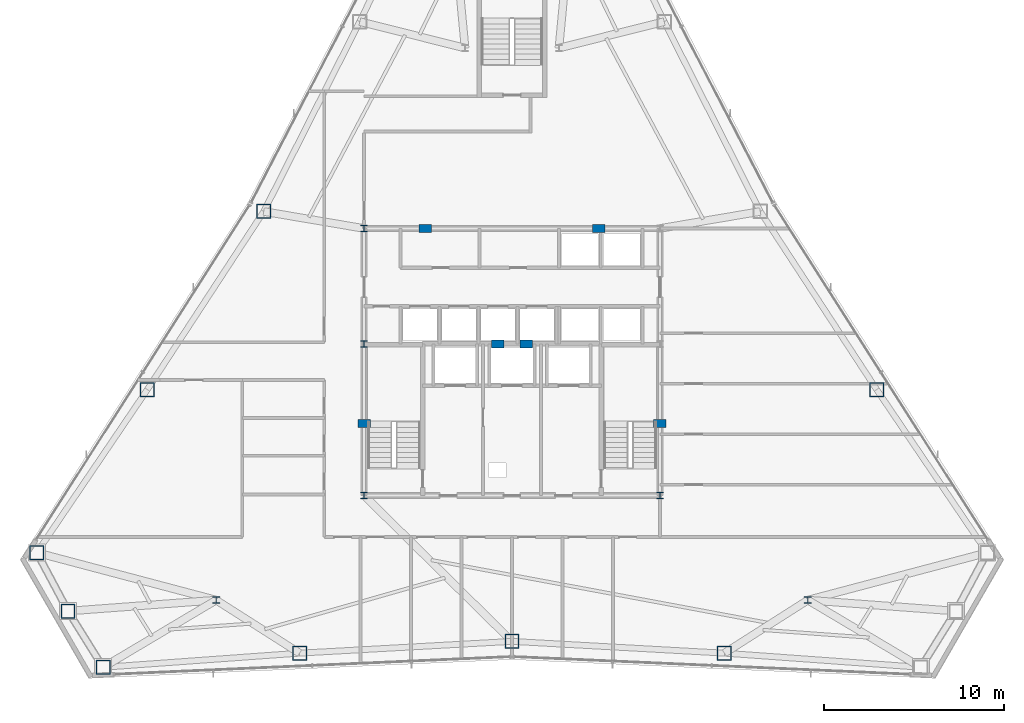
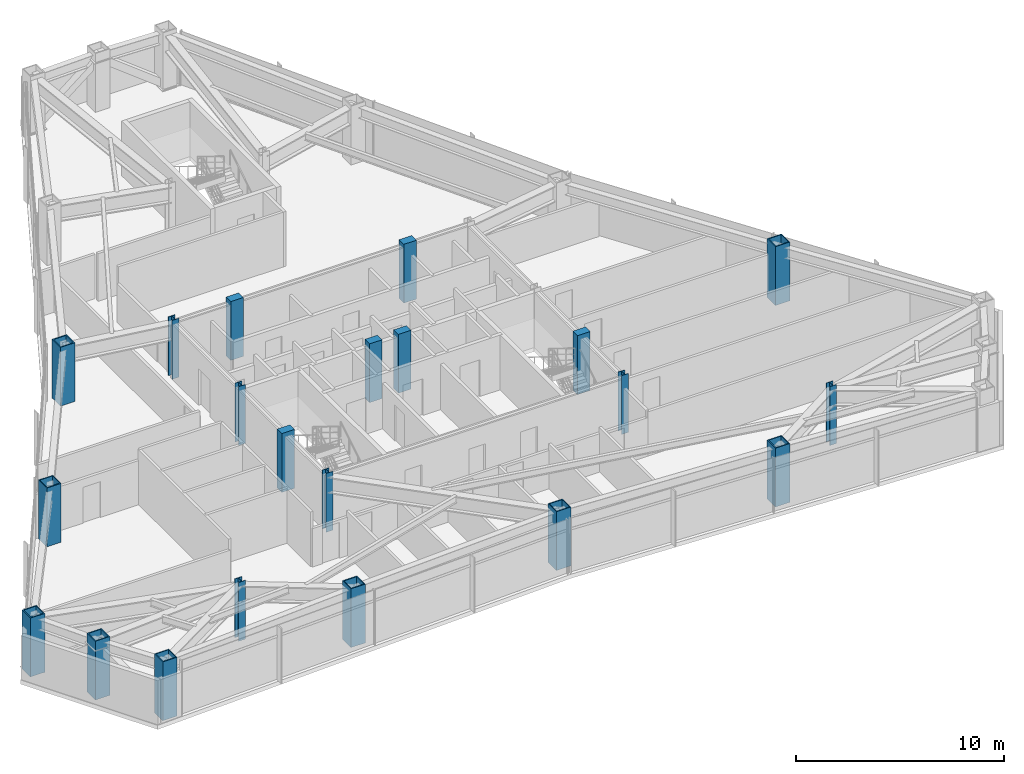
# One storey, part 1 of 13: 21 columns.
"""IFC4 building model written with IfcOpenShell, lengths in metres."""

from ifc_helpers import new_model, si_unit, direction, frame, origin, origin_2d, place, context, subcontext, project, spatial, rectangle, hollow_rectangle, i_section, extrude, material, material_profile, profile_set, type_object, element, save


model = new_model("IFC4")

# Units and contexts
model_context = context("Model", 3, precision=1e-05, world=origin(), true_north=direction((0.0, 1.0)))
body_context = subcontext(model_context, "Body", "Model", "MODEL_VIEW")
ifc_project = project(units=[si_unit("LENGTHUNIT", "METRE"), si_unit("AREAUNIT", "SQUARE_METRE"), si_unit("VOLUMEUNIT", "CUBIC_METRE"), si_unit("PLANEANGLEUNIT", "RADIAN"), si_unit("MASSUNIT", "GRAM", prefix="KILO")], contexts=[model_context])

# Site, building, storey
site_placement = place(None, origin())
site = spatial("IfcSite", under=ifc_project, at=site_placement, CompositionType="ELEMENT")
building_placement = place(site_placement, origin())
building = spatial("IfcBuilding", under=site, at=building_placement, Name="Varakhsha Concourse Tower", CompositionType="ELEMENT")
storey_placement = place(building_placement, frame((0.0, 0.0, 182.699951171875)))
storey = spatial("IfcBuildingStorey", under=building, at=storey_placement, Name="L52", CompositionType="ELEMENT", Elevation=182.699951171875)

# Columns
ifc_material_1 = material(Name="Structural Steel ASTM A992 Grade 50", Category="steel")
ifc_material_profile_1 = material_profile(ifc_material_1, i_section(OverallWidth=0.3740234375, OverallDepth=0.3720703125, WebThickness=0.01611328125, FlangeThickness=0.02587890625, at=origin_2d()), Name="W14X132")
ifc_profile_set_1 = profile_set([ifc_material_profile_1], Name="Structural Steel ASTM A992 Grade 50")
column_type_1 = type_object("IfcColumnType", Name="CL-CORE-W14X132", PredefinedType="COLUMN", material=ifc_profile_set_1)
for number, where, z_axis, x_axis, name in (
    (1, (31.800048828125, 16.39990234375, 0.0), (0.0, 0.0, 1.0), (1.0, 0.0, 0.0), "L52 Core Column CC-SW"),
    (2, (48.199951171875, 16.39990234375, 0.0), (0.0, 0.0, 1.0), (1.0, 0.0, 0.0), "L52 Core Column CC-SE"),
    (3, (31.800048828125, 24.800048828125, 0.0), (0.0, 0.0, 1.0), (1.0, 0.0, 0.0), "L52 Core Column CC-MW"),
    (4, (31.800048828125, 31.199951171875, 0.0), (0.0, 0.0, 1.0), (1.0, 0.0, 0.0), "L52 Core Column CC-NW"),
    (5, (23.60009765625, 10.60009765625, 0.0), (0.0, 0.0, 1.0), (1.0, 0.0, 0.0), "L52 Core Column SS-W"),
    (6, (56.39990234375, 10.60009765625, 0.0), (0.0, 0.0, 1.0), (1.0, 0.0, 0.0), "L52 Core Column SS-E"),
):
    element("IfcColumn", number, at=place(storey_placement, frame(where, z_axis=z_axis, x_axis=x_axis)), inside=storey, type_object=column_type_1, Name=name, PredefinedType="COLUMN", context=body_context, shape_type="SweptSolid", body=[
        extrude(i_section(OverallWidth=0.3740234375, OverallDepth=0.3720703125, WebThickness=0.01611328125, FlangeThickness=0.02587890625, at=origin_2d()), origin(), (0.0, 0.0, 1.0), 3.449951171875),
    ])
ifc_material_2 = material(Name="Concrete fc 65 MPa", Category="concrete")
ifc_material_profile_2 = material_profile(ifc_material_2, rectangle(XDim=0.699951171875, YDim=0.449951171875, at=origin_2d()), Name="RC 700x450")
ifc_profile_set_2 = profile_set([ifc_material_profile_2], Name="Concrete fc 65 MPa")
column_type_2 = type_object("IfcColumnType", Name="CL-PIL-700X450", PredefinedType="PILASTER", material=ifc_profile_set_2)
for number, where, z_axis, x_axis, name in (
    (7, (31.800048828125, 20.39990234375, 0.0), (0.0, 0.0, 1.0), (1.0, 0.0, 0.0), "L52 Core Boundary Pilaster PIL-W1"),
    (8, (48.199951171875, 20.39990234375, 0.0), (0.0, 0.0, 1.0), (1.0, 0.0, 0.0), "L52 Core Boundary Pilaster PIL-E1"),
    (9, (35.199951171875, 31.199951171875, 0.0), (0.0, 0.0, 1.0), (1.0, 0.0, 0.0), "L52 Core Boundary Pilaster PIL-N1"),
    (10, (44.800048828125, 31.199951171875, 0.0), (0.0, 0.0, 1.0), (1.0, 0.0, 0.0), "L52 Core Boundary Pilaster PIL-N2"),
    (11, (39.199951171875, 24.800048828125, 0.0), (0.0, 0.0, 1.0), (1.0, 0.0, 0.0), "L52 Core Boundary Pilaster PIL-M1"),
    (12, (40.800048828125, 24.800048828125, 0.0), (0.0, 0.0, 1.0), (1.0, 0.0, 0.0), "L52 Core Boundary Pilaster PIL-M2"),
):
    element("IfcColumn", number, at=place(storey_placement, frame(where, z_axis=z_axis, x_axis=x_axis)), inside=storey, type_object=column_type_2, Name=name, PredefinedType="PILASTER", context=body_context, shape_type="SweptSolid", body=[
        extrude(rectangle(XDim=0.699951171875, YDim=0.449951171875, at=origin_2d()), origin(), (0.0, 0.0, 1.0), 3.449951171875),
    ])
ifc_material_3 = material(Name="Structural Steel ASTM A572 Grade 50", Category="steel")
ifc_material_profile_3 = material_profile(ifc_material_3, hollow_rectangle(XDim=0.800048828125, YDim=0.800048828125, WallThickness=0.054931640625, at=origin_2d()), Name="BOX 800x800x55")
ifc_profile_set_3 = profile_set([ifc_material_profile_3], Name="Structural Steel ASTM A572 Grade 50")
column_type_3 = type_object("IfcColumnType", Name="CL-TUBE-800", PredefinedType="COLUMN", material=ifc_profile_set_3)
for number, where, z_axis, x_axis, name in (
    (13, (26.240966796875, 32.143798828125, 0.0), (0.0, 0.0, 1.0), (1.0, 0.0, 0.0), "L52 Framed-Tube Column TC05"),
    (14, (19.78759765625, 22.2724609375, 0.0), (0.0, 0.0, 1.0), (1.0, 0.0, 0.0), "L52 Framed-Tube Column TC06"),
    (15, (13.6611328125, 13.23095703125, 0.0), (0.0, 0.0, 1.0), (1.0, 0.0, 0.0), "L52 Framed-Tube Column TC07"),
    (16, (15.38916015625, 9.990966796875, 0.0), (0.0, 0.0, 1.0), (1.0, 0.0, 0.0), "L52 Framed-Tube Column TC08"),
    (17, (17.3310546875, 6.87451171875, 0.0), (0.0, 0.0, 1.0), (1.0, 0.0, 0.0), "L52 Framed-Tube Column TC09"),
    (18, (28.224609375, 7.659423828125, 0.0), (0.0, 0.0, 1.0), (1.0, 0.0, 0.0), "L52 Framed-Tube Column TC10"),
    (19, (40.0, 8.3125, 0.0), (0.0, 0.0, 1.0), (1.0, 0.0, 0.0), "L52 Framed-Tube Column TC11"),
    (20, (51.775390625, 7.659423828125, 0.0), (0.0, 0.0, 1.0), (1.0, 0.0, 0.0), "L52 Framed-Tube Column TC12"),
    (21, (60.21240234375, 22.2724609375, 0.0), (0.0, 0.0, 1.0), (1.0, 0.0, 0.0), "L52 Framed-Tube Column TC16"),
):
    element("IfcColumn", number, at=place(storey_placement, frame(where, z_axis=z_axis, x_axis=x_axis)), inside=storey, type_object=column_type_3, Name=name, PredefinedType="COLUMN", context=body_context, shape_type="SweptSolid", body=[
        extrude(hollow_rectangle(XDim=0.800048828125, YDim=0.800048828125, WallThickness=0.054931640625, at=origin_2d()), origin(), (0.0, 0.0, 1.0), 3.449951171875),
    ])

save(model, "model.ifc")
